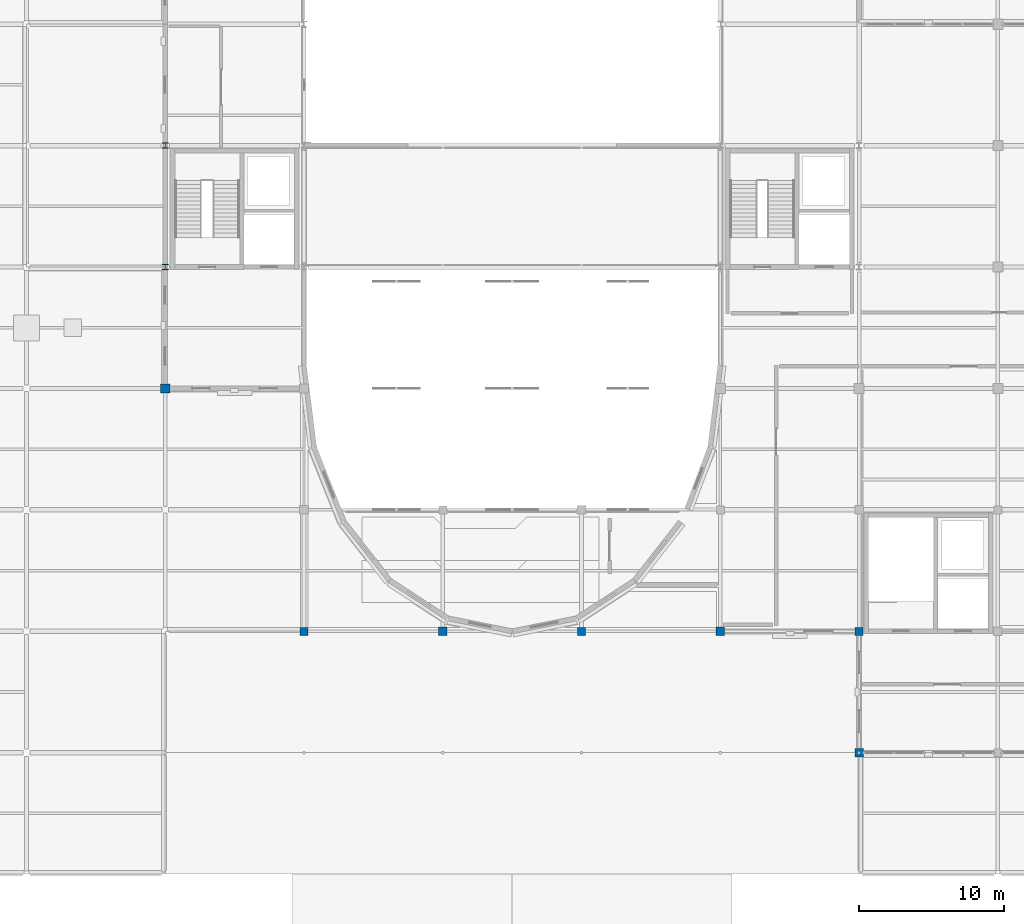
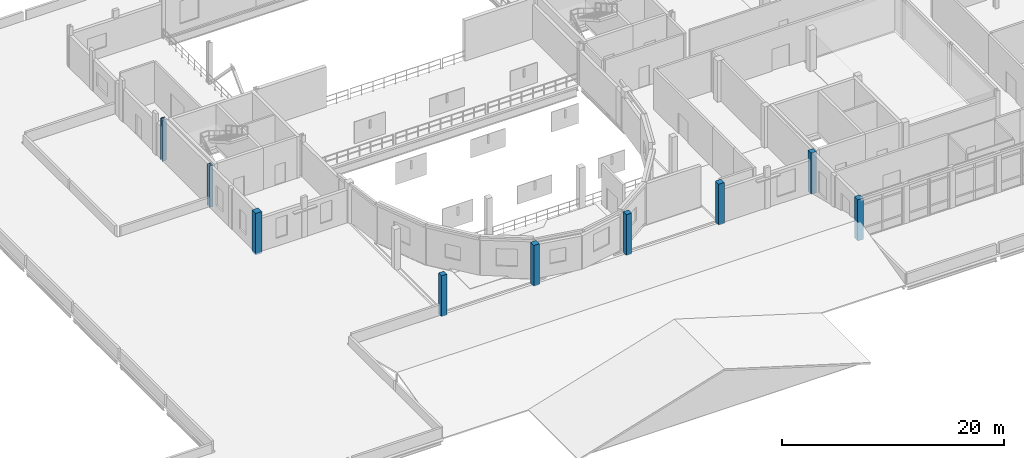
# One storey, part 2 of 52: 9 columns.
"""IFC4 building model written with IfcOpenShell, lengths in metres."""

from ifc_helpers import new_model, si_unit, direction, frame, origin, origin_2d, place, context, subcontext, project, spatial, rectangle, i_section, extrude, material, material_profile, profile_set, type_object, element, save


model = new_model("IFC4")

# Units and contexts
model_context = context("Model", 3, precision=1e-05, world=origin(), true_north=direction((0.0, 1.0)))
body_context = subcontext(model_context, "Body", "Model", "MODEL_VIEW")
ifc_project = project(units=[si_unit("LENGTHUNIT", "METRE"), si_unit("AREAUNIT", "SQUARE_METRE"), si_unit("VOLUMEUNIT", "CUBIC_METRE"), si_unit("PLANEANGLEUNIT", "RADIAN"), si_unit("MASSUNIT", "GRAM", prefix="KILO")], contexts=[model_context])

# Site, building, storey
site_placement = place(None, origin())
site = spatial("IfcSite", under=ifc_project, at=site_placement, CompositionType="ELEMENT")
building_placement = place(site_placement, origin())
building = spatial("IfcBuilding", under=site, at=building_placement, Name="Lornevale Opera House", CompositionType="ELEMENT")
storey_placement = place(building_placement, frame((0.0, 0.0, 15.0)))
storey = spatial("IfcBuildingStorey", under=building, at=storey_placement, Name="L04", CompositionType="ELEMENT", Elevation=15.0)

# Columns
ifc_material_1 = material(Name="Concrete 35 MPa (CSA A23.1 N)", Category="concrete")
ifc_material_profile_1 = material_profile(ifc_material_1, rectangle(XDim=0.550048828125, YDim=0.550048828125, at=origin_2d()), Name="RC550x550")
ifc_profile_set_1 = profile_set([ifc_material_profile_1], Name="Concrete 35 MPa (CSA A23.1 N)")
column_type_1 = type_object("IfcColumnType", Name="Concrete Column 550x550", PredefinedType="COLUMN", material=ifc_profile_set_1)
for number, where, z_axis, x_axis, name in (
    (1, (67.199951171875, 33.60009765625, 0.0), (0.0, 0.0, 1.0), (1.0, 0.0, 0.0), "Concrete Column 550x550 0437"),
    (2, (86.39990234375, 33.60009765625, 0.0), (0.0, 0.0, 1.0), (1.0, 0.0, 0.0), "Concrete Column 550x550 0566"),
):
    element("IfcColumn", number, at=place(storey_placement, frame(where, z_axis=z_axis, x_axis=x_axis)), inside=storey, type_object=column_type_1, Name=name, PredefinedType="COLUMN", context=body_context, shape_type="SweptSolid", body=[
        extrude(rectangle(XDim=0.550048828125, YDim=0.550048828125, at=origin_2d()), origin(), (0.0, 0.0, 1.0), 4.5),
    ])
column_1_placement = place(storey_placement, frame((105.60009765625, 33.60009765625, 0.0), z_axis=(0.0, 0.0, 1.0), x_axis=(1.0, 0.0, 0.0)))
element("IfcColumn", 3, at=column_1_placement, inside=storey, type_object=column_type_1, Name="Concrete Column 550x550 0699", PredefinedType="COLUMN", context=body_context, shape_type="SweptSolid", body=[
    extrude(rectangle(XDim=0.550048828125, YDim=0.550048828125, at=origin_2d()), origin(), (0.0, 0.0, 1.0), 4.530029296875),
])
ifc_material_profile_2 = material_profile(ifc_material_1, rectangle(XDim=0.60009765625, YDim=0.60009765625, at=origin_2d()), Name="RC600x600")
ifc_profile_set_2 = profile_set([ifc_material_profile_2], Name="Concrete 35 MPa (CSA A23.1 N)")
column_type_2 = type_object("IfcColumnType", Name="Concrete Column 600x600", PredefinedType="COLUMN", material=ifc_profile_set_2)
for number, where, z_axis, x_axis, name in (
    (4, (76.800048828125, 33.60009765625, 0.0), (0.0, 0.0, 1.0), (1.0, 0.0, 0.0), "Concrete Column 600x600 0516"),
    (5, (96.0, 33.60009765625, 0.0), (0.0, 0.0, 1.0), (1.0, 0.0, 0.0), "Concrete Column 600x600 0618"),
):
    element("IfcColumn", number, at=place(storey_placement, frame(where, z_axis=z_axis, x_axis=x_axis)), inside=storey, type_object=column_type_2, Name=name, PredefinedType="COLUMN", context=body_context, shape_type="SweptSolid", body=[
        extrude(rectangle(XDim=0.60009765625, YDim=0.60009765625, at=origin_2d()), origin(), (0.0, 0.0, 1.0), 4.5),
    ])
column_2_placement = place(storey_placement, frame((105.60009765625, 25.199951171875, 0.0), z_axis=(0.0, 0.0, 1.0), x_axis=(1.0, 0.0, 0.0)))
element("IfcColumn", 6, at=column_2_placement, inside=storey, type_object=column_type_2, Name="Concrete Column 600x600 0693", PredefinedType="COLUMN", context=body_context, shape_type="SweptSolid", body=[
    extrude(rectangle(XDim=0.60009765625, YDim=0.60009765625, at=origin_2d()), origin(), (0.0, 0.0, 1.0), 4.530029296875),
])
ifc_material_2 = material(Name="Concrete 40 MPa (CSA A23.1 C-1)", Category="concrete")
ifc_material_profile_3 = material_profile(ifc_material_2, rectangle(XDim=0.64990234375, YDim=0.64990234375, at=origin_2d()), Name="RC650x650")
ifc_profile_set_3 = profile_set([ifc_material_profile_3], Name="Concrete 40 MPa (CSA A23.1 C-1)")
column_type_3 = type_object("IfcColumnType", Name="Concrete Column 650x650", PredefinedType="COLUMN", material=ifc_profile_set_3)
column_3_placement = place(storey_placement, frame((57.60009765625, 50.39990234375, 0.0), z_axis=(0.0, 0.0, 1.0), x_axis=(1.0, 0.0, 0.0)))
element("IfcColumn", 7, at=column_3_placement, inside=storey, type_object=column_type_3, Name="Concrete Column 650x650 0377", PredefinedType="COLUMN", context=body_context, shape_type="SweptSolid", body=[
    extrude(rectangle(XDim=0.64990234375, YDim=0.64990234375, at=origin_2d()), origin(), (0.0, 0.0, 1.0), 4.580078125),
])
ifc_material_3 = material(Name="Structural Steel CSA G40.21 Grade 350W (350 MPa)", Category="steel")
ifc_material_profile_4 = material_profile(ifc_material_3, i_section(OverallWidth=0.39599609375, OverallDepth=0.386962890625, WebThickness=0.02490234375, FlangeThickness=0.0380859375, at=origin_2d()), Name="W360x262")
ifc_profile_set_4 = profile_set([ifc_material_profile_4], Name="Structural Steel CSA G40.21 Grade 350W (350 MPa)")
column_type_4 = type_object("IfcColumnType", Name="Steel Stagehouse Column W360x262", PredefinedType="COLUMN", material=ifc_profile_set_4)
column_4_placement = place(storey_placement, frame((57.60009765625, 58.800048828125, 0.0), z_axis=(0.0, 0.0, 1.0), x_axis=(1.0, 0.0, 0.0)))
element("IfcColumn", 8, at=column_4_placement, inside=storey, type_object=column_type_4, Name="Steel Stagehouse Column W360x262 0384", PredefinedType="COLUMN", context=body_context, shape_type="SweptSolid", body=[
    extrude(i_section(OverallWidth=0.39599609375, OverallDepth=0.386962890625, WebThickness=0.02490234375, FlangeThickness=0.0380859375, at=origin_2d()), origin(), (0.0, 0.0, 1.0), 4.580078125),
])
column_5_placement = place(storey_placement, frame((57.60009765625, 67.199951171875, 0.0), z_axis=(0.0, 0.0, 1.0), x_axis=(1.0, 0.0, 0.0)))
element("IfcColumn", 9, at=column_5_placement, inside=storey, type_object=column_type_4, Name="Steel Stagehouse Column W360x262 0391", PredefinedType="COLUMN", context=body_context, shape_type="SweptSolid", body=[
    extrude(i_section(OverallWidth=0.39599609375, OverallDepth=0.386962890625, WebThickness=0.02490234375, FlangeThickness=0.0380859375, at=origin_2d()), origin(), (0.0, 0.0, 1.0), 4.530029296875),
])

save(model, "model.ifc")
